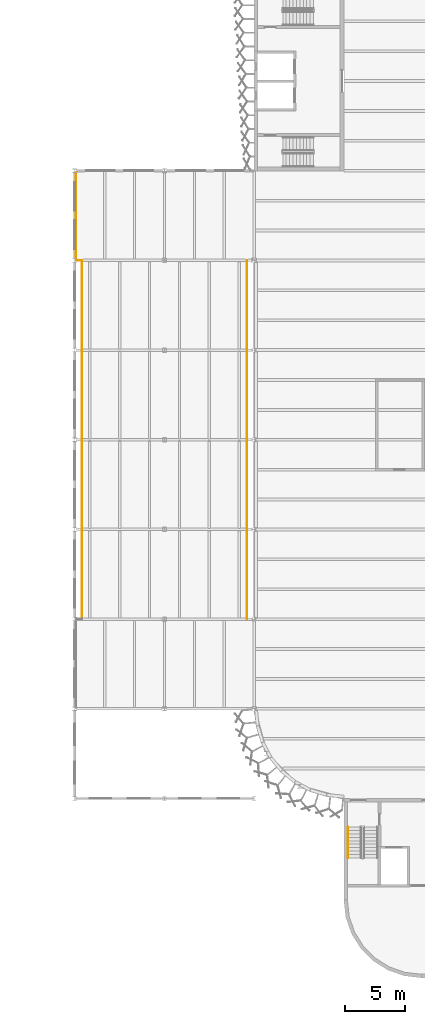
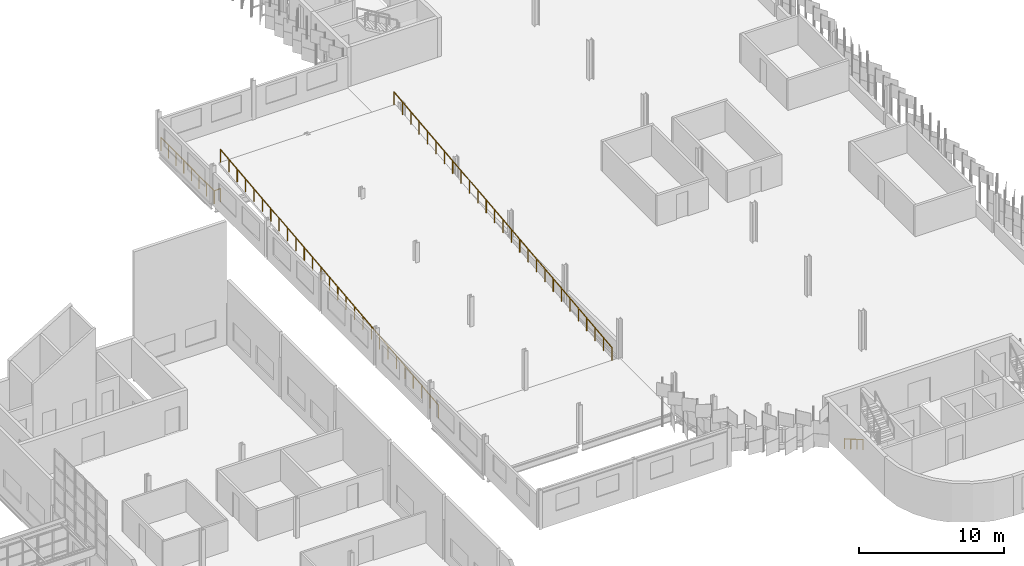
# One storey, part 187 of 198: 4 railings.
"""IFC4 building model written with IfcOpenShell, lengths in metres."""

from ifc_helpers import new_model, si_unit, direction, frame, origin, origin_2d, place, context, subcontext, project, spatial, circle, extrude, material, type_object, element, save


model = new_model("IFC4")

# Units and contexts
model_context = context("Model", 3, precision=1e-05, world=origin(), true_north=direction((0.0, 1.0)))
body_context = subcontext(model_context, "Body", "Model", "MODEL_VIEW")
ifc_project = project(units=[si_unit("LENGTHUNIT", "METRE"), si_unit("AREAUNIT", "SQUARE_METRE"), si_unit("VOLUMEUNIT", "CUBIC_METRE"), si_unit("PLANEANGLEUNIT", "RADIAN"), si_unit("MASSUNIT", "GRAM", prefix="KILO")], contexts=[model_context])

# Site, building, storey
site_placement = place(None, origin())
site = spatial("IfcSite", under=ifc_project, at=site_placement, CompositionType="ELEMENT")
building_placement = place(site_placement, origin())
building = spatial("IfcBuilding", under=site, at=building_placement, Name="Parallax Yard Mobility Hub", CompositionType="ELEMENT")
storey_placement = place(building_placement, frame((0.0, 0.0, 6.60009765625)))
storey = spatial("IfcBuildingStorey", under=building, at=storey_placement, Name="L02", CompositionType="ELEMENT", Elevation=6.60009765625)

# Railings
ifc_material = material(Name="Steel ASTM A36", Category="steel")
railing_type_1 = type_object("IfcRailingType", Name="Landing edge guard 1100", PredefinedType="GUARDRAIL", material=ifc_material)
railing_1_placement = place(storey_placement, frame((180.60009765625, 67.5, 0.0)))
element("IfcRailing", 1, at=railing_1_placement, inside=storey, type_object=railing_type_1, Name="Ramp house north landing west edge guard level L02", PredefinedType="GUARDRAIL", context=body_context, shape_type="SweptSolid", body=[
    extrude(circle(Radius=0.02392578125, at=origin_2d()), frame((0.0, 0.0, 1.076171875), z_axis=(-1.0, 0.0, 0.0), x_axis=(0.0, -1.0, 0.0)), (0.0, 0.0, 1.0), 0.5),
    extrude(circle(Radius=0.02392578125, at=origin_2d()), frame((-0.5, 0.0, 1.076171875), z_axis=(0.0, 1.0, 0.0), x_axis=(-1.0, 0.0, 0.0)), (0.0, 0.0, 1.0), 7.346435546875),
    extrude(circle(Radius=0.02099609375, at=origin_2d()), origin(), (0.0, 0.0, 1.0), 1.052001953125),
    extrude(circle(Radius=0.02099609375, at=origin_2d()), frame((-0.5, 0.0, 0.0)), (0.0, 0.0, 1.0), 1.052001953125),
    extrude(circle(Radius=0.02099609375, at=origin_2d()), frame((-0.5, 1.049560546875, 0.0)), (0.0, 0.0, 1.0), 1.052001953125),
    extrude(circle(Radius=0.02099609375, at=origin_2d()), frame((-0.5, 2.098876953125, 0.0)), (0.0, 0.0, 1.0), 1.052001953125),
    extrude(circle(Radius=0.02099609375, at=origin_2d()), frame((-0.5, 3.1484375, 0.0)), (0.0, 0.0, 1.0), 1.052001953125),
    extrude(circle(Radius=0.02099609375, at=origin_2d()), frame((-0.5, 4.197998046875, 0.0)), (0.0, 0.0, 1.0), 1.052001953125),
    extrude(circle(Radius=0.02099609375, at=origin_2d()), frame((-0.5, 5.24755859375, 0.0)), (0.0, 0.0, 1.0), 1.052001953125),
    extrude(circle(Radius=0.02099609375, at=origin_2d()), frame((-0.5, 6.296875, 0.0)), (0.0, 0.0, 1.0), 1.052001953125),
    extrude(circle(Radius=0.02099609375, at=origin_2d()), frame((-0.5, 7.346435546875, 0.0)), (0.0, 0.0, 1.0), 1.052001953125),
])
railing_type_2 = type_object("IfcRailingType", Name="Ramp guard 1100", PredefinedType="GUARDRAIL", material=ifc_material)
railing_2_placement = place(storey_placement, frame((180.60009765625, 37.5, 0.0)))
element("IfcRailing", 2, at=railing_2_placement, inside=storey, type_object=railing_type_2, Name="Ramp RP3 west guard", PredefinedType="GUARDRAIL", context=body_context, shape_type="SweptSolid", body=[
    extrude(circle(Radius=0.02392578125, at=origin_2d()), frame((0.0, 0.0, 1.076171875), z_axis=(0.0, 0.994005059257, 0.109334085131), x_axis=(-1.0, 0.0, 0.0)), (0.0, 0.0, 1.0), 30.180908203125),
    extrude(circle(Radius=0.02099609375, at=origin_2d()), origin(), (0.0, 0.0, 1.0), 1.052001953125),
    extrude(circle(Radius=0.02099609375, at=origin_2d()), frame((0.0, 1.15380859375, 0.126953125)), (0.0, 0.0, 1.0), 1.052001953125),
    extrude(circle(Radius=0.02099609375, at=origin_2d()), frame((0.0, 2.3076171875, 0.25390625)), (0.0, 0.0, 1.0), 1.052001953125),
    extrude(circle(Radius=0.02099609375, at=origin_2d()), frame((0.0, 3.46142578125, 0.380859375)), (0.0, 0.0, 1.0), 1.052001953125),
    extrude(circle(Radius=0.02099609375, at=origin_2d()), frame((0.0, 4.615478515625, 0.507568359375)), (0.0, 0.0, 1.0), 1.052001953125),
    extrude(circle(Radius=0.02099609375, at=origin_2d()), frame((0.0, 5.769287109375, 0.634521484375)), (0.0, 0.0, 1.0), 1.052001953125),
    extrude(circle(Radius=0.02099609375, at=origin_2d()), frame((0.0, 6.923095703125, 0.761474609375)), (0.0, 0.0, 1.0), 1.052001953125),
    extrude(circle(Radius=0.02099609375, at=origin_2d()), frame((0.0, 8.076904296875, 0.888427734375)), (0.0, 0.0, 1.0), 1.052001953125),
    extrude(circle(Radius=0.02099609375, at=origin_2d()), frame((0.0, 9.230712890625, 1.015380859375)), (0.0, 0.0, 1.0), 1.052001953125),
    extrude(circle(Radius=0.02099609375, at=origin_2d()), frame((0.0, 10.384521484375, 1.142333984375)), (0.0, 0.0, 1.0), 1.052001953125),
    extrude(circle(Radius=0.02099609375, at=origin_2d()), frame((0.0, 11.53857421875, 1.26904296875)), (0.0, 0.0, 1.0), 1.052001953125),
    extrude(circle(Radius=0.02099609375, at=origin_2d()), frame((0.0, 12.6923828125, 1.39599609375)), (0.0, 0.0, 1.0), 1.052001953125),
    extrude(circle(Radius=0.02099609375, at=origin_2d()), frame((0.0, 13.84619140625, 1.52294921875)), (0.0, 0.0, 1.0), 1.052001953125),
    extrude(circle(Radius=0.02099609375, at=origin_2d()), frame((0.0, 15.0, 1.64990234375)), (0.0, 0.0, 1.0), 1.052001953125),
    extrude(circle(Radius=0.02099609375, at=origin_2d()), frame((0.0, 16.15380859375, 1.77685546875)), (0.0, 0.0, 1.0), 1.052001953125),
    extrude(circle(Radius=0.02099609375, at=origin_2d()), frame((0.0, 17.3076171875, 1.90380859375)), (0.0, 0.0, 1.0), 1.052001953125),
    extrude(circle(Radius=0.02099609375, at=origin_2d()), frame((0.0, 18.46142578125, 2.03076171875)), (0.0, 0.0, 1.0), 1.052001953125),
    extrude(circle(Radius=0.02099609375, at=origin_2d()), frame((0.0, 19.615478515625, 2.157470703125)), (0.0, 0.0, 1.0), 1.052001953125),
    extrude(circle(Radius=0.02099609375, at=origin_2d()), frame((0.0, 20.769287109375, 2.284423828125)), (0.0, 0.0, 1.0), 1.052001953125),
    extrude(circle(Radius=0.02099609375, at=origin_2d()), frame((0.0, 21.923095703125, 2.411376953125)), (0.0, 0.0, 1.0), 1.052001953125),
    extrude(circle(Radius=0.02099609375, at=origin_2d()), frame((0.0, 23.076904296875, 2.538330078125)), (0.0, 0.0, 1.0), 1.052001953125),
    extrude(circle(Radius=0.02099609375, at=origin_2d()), frame((0.0, 24.230712890625, 2.665283203125)), (0.0, 0.0, 1.0), 1.052001953125),
    extrude(circle(Radius=0.02099609375, at=origin_2d()), frame((0.0, 25.384521484375, 2.792236328125)), (0.0, 0.0, 1.0), 1.052001953125),
    extrude(circle(Radius=0.02099609375, at=origin_2d()), frame((0.0, 26.53857421875, 2.9189453125)), (0.0, 0.0, 1.0), 1.052001953125),
    extrude(circle(Radius=0.02099609375, at=origin_2d()), frame((0.0, 27.6923828125, 3.0458984375)), (0.0, 0.0, 1.0), 1.052001953125),
    extrude(circle(Radius=0.02099609375, at=origin_2d()), frame((0.0, 28.84619140625, 3.1728515625)), (0.0, 0.0, 1.0), 1.052001953125),
    extrude(circle(Radius=0.02099609375, at=origin_2d()), frame((0.0, 30.0, 3.2998046875)), (0.0, 0.0, 1.0), 1.052001953125),
])
railing_3_placement = place(storey_placement, frame((194.39990234375, 37.5, 0.0)))
element("IfcRailing", 3, at=railing_3_placement, inside=storey, type_object=railing_type_2, Name="Ramp RP3 east guard", PredefinedType="GUARDRAIL", context=body_context, shape_type="SweptSolid", body=[
    extrude(circle(Radius=0.02392578125, at=origin_2d()), frame((0.0, 0.0, 1.076171875), z_axis=(0.0, 0.994005059257, 0.109334085131), x_axis=(-1.0, 0.0, 0.0)), (0.0, 0.0, 1.0), 30.180908203125),
    extrude(circle(Radius=0.02099609375, at=origin_2d()), origin(), (0.0, 0.0, 1.0), 1.052001953125),
    extrude(circle(Radius=0.02099609375, at=origin_2d()), frame((0.0, 1.15380859375, 0.126953125)), (0.0, 0.0, 1.0), 1.052001953125),
    extrude(circle(Radius=0.02099609375, at=origin_2d()), frame((0.0, 2.3076171875, 0.25390625)), (0.0, 0.0, 1.0), 1.052001953125),
    extrude(circle(Radius=0.02099609375, at=origin_2d()), frame((0.0, 3.46142578125, 0.380859375)), (0.0, 0.0, 1.0), 1.052001953125),
    extrude(circle(Radius=0.02099609375, at=origin_2d()), frame((0.0, 4.615478515625, 0.507568359375)), (0.0, 0.0, 1.0), 1.052001953125),
    extrude(circle(Radius=0.02099609375, at=origin_2d()), frame((0.0, 5.769287109375, 0.634521484375)), (0.0, 0.0, 1.0), 1.052001953125),
    extrude(circle(Radius=0.02099609375, at=origin_2d()), frame((0.0, 6.923095703125, 0.761474609375)), (0.0, 0.0, 1.0), 1.052001953125),
    extrude(circle(Radius=0.02099609375, at=origin_2d()), frame((0.0, 8.076904296875, 0.888427734375)), (0.0, 0.0, 1.0), 1.052001953125),
    extrude(circle(Radius=0.02099609375, at=origin_2d()), frame((0.0, 9.230712890625, 1.015380859375)), (0.0, 0.0, 1.0), 1.052001953125),
    extrude(circle(Radius=0.02099609375, at=origin_2d()), frame((0.0, 10.384521484375, 1.142333984375)), (0.0, 0.0, 1.0), 1.052001953125),
    extrude(circle(Radius=0.02099609375, at=origin_2d()), frame((0.0, 11.53857421875, 1.26904296875)), (0.0, 0.0, 1.0), 1.052001953125),
    extrude(circle(Radius=0.02099609375, at=origin_2d()), frame((0.0, 12.6923828125, 1.39599609375)), (0.0, 0.0, 1.0), 1.052001953125),
    extrude(circle(Radius=0.02099609375, at=origin_2d()), frame((0.0, 13.84619140625, 1.52294921875)), (0.0, 0.0, 1.0), 1.052001953125),
    extrude(circle(Radius=0.02099609375, at=origin_2d()), frame((0.0, 15.0, 1.64990234375)), (0.0, 0.0, 1.0), 1.052001953125),
    extrude(circle(Radius=0.02099609375, at=origin_2d()), frame((0.0, 16.15380859375, 1.77685546875)), (0.0, 0.0, 1.0), 1.052001953125),
    extrude(circle(Radius=0.02099609375, at=origin_2d()), frame((0.0, 17.3076171875, 1.90380859375)), (0.0, 0.0, 1.0), 1.052001953125),
    extrude(circle(Radius=0.02099609375, at=origin_2d()), frame((0.0, 18.46142578125, 2.03076171875)), (0.0, 0.0, 1.0), 1.052001953125),
    extrude(circle(Radius=0.02099609375, at=origin_2d()), frame((0.0, 19.615478515625, 2.157470703125)), (0.0, 0.0, 1.0), 1.052001953125),
    extrude(circle(Radius=0.02099609375, at=origin_2d()), frame((0.0, 20.769287109375, 2.284423828125)), (0.0, 0.0, 1.0), 1.052001953125),
    extrude(circle(Radius=0.02099609375, at=origin_2d()), frame((0.0, 21.923095703125, 2.411376953125)), (0.0, 0.0, 1.0), 1.052001953125),
    extrude(circle(Radius=0.02099609375, at=origin_2d()), frame((0.0, 23.076904296875, 2.538330078125)), (0.0, 0.0, 1.0), 1.052001953125),
    extrude(circle(Radius=0.02099609375, at=origin_2d()), frame((0.0, 24.230712890625, 2.665283203125)), (0.0, 0.0, 1.0), 1.052001953125),
    extrude(circle(Radius=0.02099609375, at=origin_2d()), frame((0.0, 25.384521484375, 2.792236328125)), (0.0, 0.0, 1.0), 1.052001953125),
    extrude(circle(Radius=0.02099609375, at=origin_2d()), frame((0.0, 26.53857421875, 2.9189453125)), (0.0, 0.0, 1.0), 1.052001953125),
    extrude(circle(Radius=0.02099609375, at=origin_2d()), frame((0.0, 27.6923828125, 3.0458984375)), (0.0, 0.0, 1.0), 1.052001953125),
    extrude(circle(Radius=0.02099609375, at=origin_2d()), frame((0.0, 28.84619140625, 3.1728515625)), (0.0, 0.0, 1.0), 1.052001953125),
    extrude(circle(Radius=0.02099609375, at=origin_2d()), frame((0.0, 30.0, 3.2998046875)), (0.0, 0.0, 1.0), 1.052001953125),
])
railing_type_3 = type_object("IfcRailingType", Name="Stair handrail", PredefinedType="HANDRAIL", material=ifc_material)
railing_4_placement = place(storey_placement, frame((202.85009765625, 20.10009765625, 0.164794921875)))
element("IfcRailing", 4, at=railing_4_placement, inside=storey, type_object=railing_type_3, Name="L02 ST10 stair handrail 1", PredefinedType="HANDRAIL", context=body_context, shape_type="SweptSolid", body=[
    extrude(circle(Radius=0.02392578125, at=origin_2d()), frame((0.0, 0.0, 0.8310546875), z_axis=(0.0, -0.865426285481, 0.501036270542), x_axis=(1.0, 0.0, 0.0)), (0.0, 0.0, 1.0), 2.964111328125),
    extrude(circle(Radius=0.02099609375, at=origin_2d()), origin(), (0.0, 0.0, 1.0), 0.806884765625),
    extrude(circle(Radius=0.02099609375, at=origin_2d()), frame((0.0, -0.85498046875, 0.4951171875)), (0.0, 0.0, 1.0), 0.806884765625),
    extrude(circle(Radius=0.02099609375, at=origin_2d()), frame((0.0, -1.710205078125, 0.989990234375)), (0.0, 0.0, 1.0), 0.806884765625),
    extrude(circle(Radius=0.02099609375, at=origin_2d()), frame((0.0, -2.565185546875, 1.485107421875)), (0.0, 0.0, 1.0), 0.806884765625),
])

save(model, "model.ifc")
